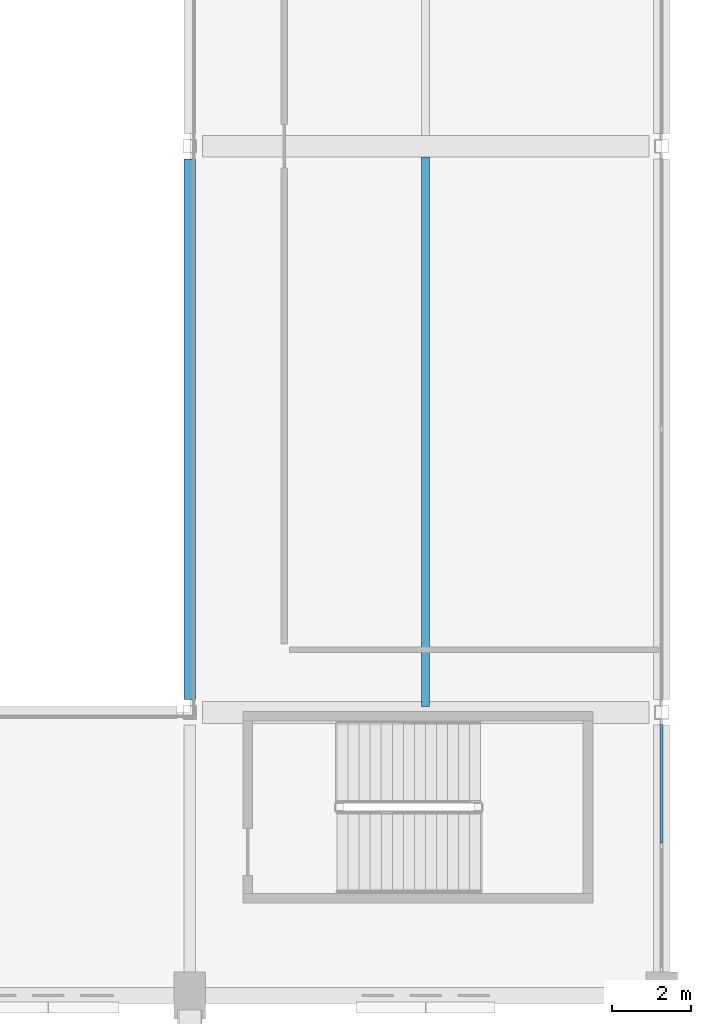
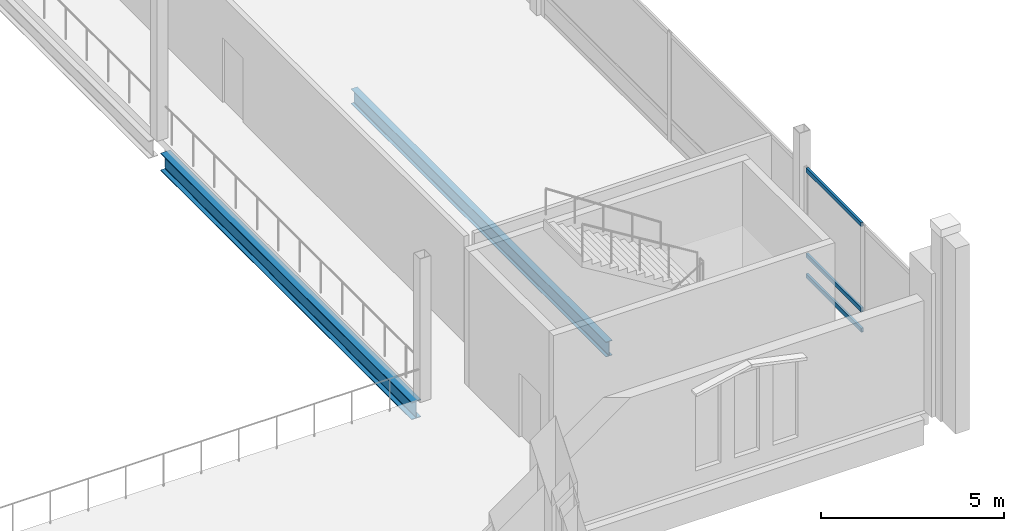
# One storey, part 80 of 193: 3 members, 2 beams, 1 element without a shape of its own.
"""IFC4 building model written with IfcOpenShell, lengths in metres."""

import ifcopenshell
import ifcopenshell.guid

model = None  # the IFC model being written
_history = None  # IfcOwnerHistory: only IFC2X3 demands one
_inside = {}  # id of a spatial element -> (the spatial element, [elements in it])
_under = {}  # id of a project, library or spatial element -> (it, [spatial elements below it])
_declared = {}  # id of a project -> (the project, [libraries it declares])
_typed = {}  # id of a type object -> (the type object, [elements of that type])
_made_of = {}  # id of a material, layer set ... -> (it, [elements and type objects made of it])


def new_model(schema):
    """Start an empty IFC model of exactly this schema.

    Asked for "IFC4X3", IfcOpenShell would pick the latest addendum, in which some entities
    have other attributes; the version numbers below select the first issue.
    IFC2X3 requires an IfcOwnerHistory on every rooted entity: one is made here for all.
    """
    global model, _history
    if schema == "IFC4X3":
        model = ifcopenshell.file(schema_version=(4, 3, 0, 0))
    else:
        model = ifcopenshell.file(schema=schema)
    _inside.clear()
    _under.clear()
    _declared.clear()
    _typed.clear()
    _made_of.clear()
    _history = None
    if model.schema == "IFC2X3":
        org = make("IfcOrganization", Name="unknown")
        user = make(
            "IfcPersonAndOrganization",
            ThePerson=make("IfcPerson", FamilyName="unknown"),
            TheOrganization=org,
        )
        app = make(
            "IfcApplication",
            ApplicationDeveloper=org,
            Version="unknown",
            ApplicationFullName="unknown",
            ApplicationIdentifier="unknown",
        )
        _history = make(
            "IfcOwnerHistory",
            OwningUser=user,
            OwningApplication=app,
            ChangeAction="ADDED",
            CreationDate=0,
        )
    return model


def make(cls, **values):
    """One entity of the class cls with the attributes given. An attribute that is None is left unset."""
    return model.create_entity(
        cls, **{name: value for name, value in values.items() if value is not None}
    )


def rooted(cls, **values):
    """An entity with a GlobalId (a new one), such as an element, a storey or a relation."""
    return make(cls, GlobalId=ifcopenshell.guid.new(), OwnerHistory=_history, **values)


def si_unit(unit_type, name, prefix=None):
    """IfcSIUnit, for example si_unit("LENGTHUNIT", "METRE", prefix="MILLI")."""
    return make("IfcSIUnit", UnitType=unit_type, Prefix=prefix, Name=name)


def assignment(units):
    """IfcUnitAssignment: the units of a project."""
    return None if units is None else make("IfcUnitAssignment", Units=units)


def point(xyz):
    """IfcCartesianPoint."""
    return None if xyz is None else make("IfcCartesianPoint", Coordinates=xyz)


def direction(xyz):
    """IfcDirection."""
    return None if xyz is None else make("IfcDirection", DirectionRatios=xyz)


def frame(location, z_axis=None, x_axis=None):
    """IfcAxis2Placement3D, a coordinate frame: its origin and axes. An axis left out is left unset."""
    return make(
        "IfcAxis2Placement3D",
        Location=point(location),
        Axis=direction(z_axis),
        RefDirection=direction(x_axis),
    )


def frame_2d(location, x_axis=None):
    """IfcAxis2Placement2D, a coordinate frame in the plane: its origin and x axis."""
    return make(
        "IfcAxis2Placement2D", Location=point(location), RefDirection=direction(x_axis)
    )


def origin():
    """The frame at (0, 0, 0) with its axes left unset."""
    return frame((0.0, 0.0, 0.0))


def origin_2d():
    """The frame at (0, 0) in the plane with its x axis left unset."""
    return frame_2d((0.0, 0.0))


def place(relative_to, where):
    """IfcLocalPlacement: puts the frame where relative to a parent placement (None: the world)."""
    return make(
        "IfcLocalPlacement", PlacementRelTo=relative_to, RelativePlacement=where
    )


def context(
    kind, dimensions, precision=None, world=None, true_north=None, identifier=None
):
    """IfcGeometricRepresentationContext, for example the 3D "Model" context."""
    return make(
        "IfcGeometricRepresentationContext",
        ContextIdentifier=identifier,
        ContextType=kind,
        CoordinateSpaceDimension=dimensions,
        Precision=precision,
        WorldCoordinateSystem=world,
        TrueNorth=true_north,
    )


def subcontext(parent, identifier, kind, view, scale=None):
    """IfcGeometricRepresentationSubContext, for example "Body" below "Model"."""
    return make(
        "IfcGeometricRepresentationSubContext",
        ContextIdentifier=identifier,
        ContextType=kind,
        ParentContext=parent,
        TargetScale=scale,
        TargetView=view,
    )


def project(units=None, contexts=None):
    """IfcProject with its units and contexts."""
    return rooted(
        "IfcProject",
        Name="project",
        RepresentationContexts=contexts,
        UnitsInContext=assignment(units),
    )


def spatial(cls, under=None, at=None, **own):
    """A site, building, storey or space (cls), placed at a placement, below another one or the project."""
    s = rooted(cls, ObjectPlacement=at, **own)
    if under is not None:
        _under.setdefault(under.id(), (under, []))[1].append(s)
    return s


def profile(cls, at=None, kind="AREA", **sizes):
    """A parametric profile (cls). Its sizes go by their IFC names, for example OverallWidth=200.0."""
    return make(cls, ProfileType=kind, Position=at, **sizes)


def hollow_rectangle(**sizes):
    """IfcRectangleHollowProfileDef."""
    return profile("IfcRectangleHollowProfileDef", **sizes)


def i_section(**sizes):
    """IfcIShapeProfileDef."""
    return profile("IfcIShapeProfileDef", **sizes)


def extrude(swept, where, along, depth):
    """IfcExtrudedAreaSolid: the profile swept, set in the frame where, extruded along a direction by depth."""
    return make(
        "IfcExtrudedAreaSolid",
        SweptArea=swept,
        Position=where,
        ExtrudedDirection=direction(along),
        Depth=depth,
    )


def shape(context_of_items, identifier, shape_type, items):
    """IfcShapeRepresentation: the items that make up one representation, for example the "Body"."""
    return make(
        "IfcShapeRepresentation",
        ContextOfItems=context_of_items,
        RepresentationIdentifier=identifier,
        RepresentationType=shape_type,
        Items=items,
    )


def material(Name=None, Category=None):
    """IfcMaterial."""
    return make("IfcMaterial", Name=Name, Category=Category)


def material_profile(
    of_material, cross_section, Name=None, Category=None, Priority=None
):
    """IfcMaterialProfile: a cross section and its material."""
    return make(
        "IfcMaterialProfile",
        Name=Name,
        Material=of_material,
        Profile=cross_section,
        Priority=Priority,
        Category=Category,
    )


def profile_set(profiles, Name=None, composite=None):
    """IfcMaterialProfileSet."""
    return make(
        "IfcMaterialProfileSet",
        Name=Name,
        MaterialProfiles=profiles,
        CompositeProfile=composite,
    )


def made_of(thing, what):
    """Note that an element or type object is made of a material, layer set ...; save() writes the relation."""
    if what is not None:
        _made_of.setdefault(what.id(), (what, []))[1].append(thing)
    return thing


def type_object(cls, material=None, **own):
    """A type object (cls), such as IfcWallType, which elements share."""
    return made_of(rooted(cls, **own), material)


def element(
    cls,
    number,
    at=None,
    inside=None,
    cuts=None,
    type_object=None,
    material=None,
    context=None,
    identifier="Body",
    shape_type=None,
    held_by="IfcProductDefinitionShape",
    body=None,
    shapes=None,
    **own,
):
    """One element of the class cls, such as IfcWall. Its Tag is "e" and its number.

    at: its placement. inside: the storey or other place that contains it. cuts: it is an
    opening in that element (IfcRelVoidsElement). A single representation is given by context,
    identifier, shape_type and body (its items); several are given by shapes. held_by: the class
    of the entity that holds the representations. save() writes the other relations.
    """
    e = rooted(cls, Tag="e%d" % number, ObjectPlacement=at, **own)
    if body is not None:
        shapes = [shape(context, identifier, shape_type, body)]
    if shapes is not None:
        e.Representation = make(held_by, Representations=shapes)
    if inside is not None:
        _inside.setdefault(inside.id(), (inside, []))[1].append(e)
    if cuts is not None:
        rooted(
            "IfcRelVoidsElement", RelatingBuildingElement=cuts, RelatedOpeningElement=e
        )
    if type_object is not None:
        _typed.setdefault(type_object.id(), (type_object, []))[1].append(e)
    return made_of(e, material)


def aggregate(whole, parts):
    """IfcRelAggregates: a whole, such as a stair, and the parts it consists of."""
    return rooted("IfcRelAggregates", RelatingObject=whole, RelatedObjects=parts)


def save(model, path):
    """Write the relations noted so far, then the file.

    IfcRelAggregates (storeys below a building ...), IfcRelContainedInSpatialStructure (elements
    in a storey), IfcRelDefinesByType, IfcRelAssociatesMaterial and IfcRelDeclares: one each for
    every whole, place, type object, material and project.
    """
    for whole, parts in _under.values():
        aggregate(whole, parts)
    for where, things in _inside.values():
        rooted(
            "IfcRelContainedInSpatialStructure",
            RelatedElements=things,
            RelatingStructure=where,
        )
    for kind, things in _typed.values():
        rooted("IfcRelDefinesByType", RelatedObjects=things, RelatingType=kind)
    for what, things in _made_of.values():
        rooted("IfcRelAssociatesMaterial", RelatedObjects=things, RelatingMaterial=what)
    for by, libraries in _declared.values():
        rooted("IfcRelDeclares", RelatingContext=by, RelatedDefinitions=libraries)
    model.write(path)


model = new_model("IFC4")

# Units and contexts
model_context = context("Model", 3, precision=1e-05, world=origin(), true_north=direction((0.0, 1.0)))
body_context = subcontext(model_context, "Body", "Model", "MODEL_VIEW")
ifc_project = project(units=[si_unit("LENGTHUNIT", "METRE"), si_unit("AREAUNIT", "SQUARE_METRE"), si_unit("VOLUMEUNIT", "CUBIC_METRE"), si_unit("PLANEANGLEUNIT", "RADIAN"), si_unit("MASSUNIT", "GRAM", prefix="KILO")], contexts=[model_context])

# Site, building, storey
site_placement = place(None, origin())
site = spatial("IfcSite", under=ifc_project, at=site_placement, CompositionType="ELEMENT")
building_placement = place(site_placement, origin())
building = spatial("IfcBuilding", under=site, at=building_placement, Name="Cendralis Lancet Convention Centre", CompositionType="ELEMENT")
storey_placement = place(building_placement, frame((0.0, 0.0, 10.199951171875)))
storey = spatial("IfcBuildingStorey", under=building, at=storey_placement, Name="L02", CompositionType="ELEMENT", Elevation=10.199951171875)

# Curtain wall, members
ifc_material_1 = material(Name="Anodised bronze architectural aluminium", Category="aluminium")
curtain_wall_type = type_object("IfcCurtainWallType", Name="ARC-CW-PL02", PredefinedType="USERDEFINED", material=ifc_material_1)
curtain_wall_placement = place(storey_placement, origin())
curtain_wall = element("IfcCurtainWall", 1, at=curtain_wall_placement, inside=storey, type_object=curtain_wall_type, Name="L02 Curtain Wall CW-PL2 #131", ObjectType="CURTAIN WALL", PredefinedType="USERDEFINED")
ifc_material_profile_1 = material_profile(ifc_material_1, hollow_rectangle(XDim=0.070068359375, YDim=0.139892578125, WallThickness=0.00390625, at=origin_2d()), Name="AL-TRAN 70x140x4.0")
ifc_profile_set_1 = profile_set([ifc_material_profile_1], Name="Anodised bronze architectural aluminium")
member_type = type_object("IfcMemberType", Name="ARC-CW-TR02", PredefinedType="USERDEFINED", material=ifc_profile_set_1)
member_1_placement = place(storey_placement, frame((208.800048828125, 50.10498046875, 0.070068359375), z_axis=(0.0, -1.0, 0.0), x_axis=(1.0, 0.0, 0.0)))
member_1 = element("IfcMember", 2, at=member_1_placement, type_object=member_type, Name="Transom CW2-CW-PL2-L02-131-T0BOT", ObjectType="TRANSOM", PredefinedType="USERDEFINED", context=body_context, shape_type="SweptSolid", body=[
    extrude(hollow_rectangle(XDim=0.070068359375, YDim=0.139892578125, WallThickness=0.00390625, at=origin_2d()), origin(), (0.0, 0.0, 1.0), 3.0224609375),
])
member_2_placement = place(storey_placement, frame((208.800048828125, 50.10498046875, 0.75), z_axis=(0.0, -1.0, 0.0), x_axis=(1.0, 0.0, 0.0)))
member_2 = element("IfcMember", 3, at=member_2_placement, type_object=member_type, Name="Transom CW2-CW-PL2-L02-131-T0MID", ObjectType="TRANSOM", PredefinedType="USERDEFINED", context=body_context, shape_type="SweptSolid", body=[
    extrude(hollow_rectangle(XDim=0.070068359375, YDim=0.139892578125, WallThickness=0.00390625, at=origin_2d()), origin(), (0.0, 0.0, 1.0), 3.0224609375),
])
member_3_placement = place(storey_placement, frame((208.800048828125, 50.10498046875, 3.60498046875), z_axis=(0.0, -1.0, 0.0), x_axis=(1.0, 0.0, 0.0)))
member_3 = element("IfcMember", 4, at=member_3_placement, type_object=member_type, Name="Transom CW2-CW-PL2-L02-131-T0TOP", ObjectType="TRANSOM", PredefinedType="USERDEFINED", context=body_context, shape_type="SweptSolid", body=[
    extrude(hollow_rectangle(XDim=0.070068359375, YDim=0.139892578125, WallThickness=0.00390625, at=origin_2d()), origin(), (0.0, 0.0, 1.0), 3.0224609375),
])
aggregate(curtain_wall, [member_1, member_2, member_3])

# Beams
ifc_material_2 = material(Name="Steel S355", Category="steel")
ifc_material_profile_2 = material_profile(ifc_material_2, i_section(OverallWidth=0.300048828125, OverallDepth=0.590087890625, WebThickness=0.012939453125, FlangeThickness=0.02490234375, FilletRadius=0.027099609375, at=origin_2d()), Name="HEA 600")
ifc_profile_set_2 = profile_set([ifc_material_profile_2], Name="Steel S355")
beam_type_1 = type_object("IfcBeamType", Name="STR-BM-SG10", PredefinedType="BEAM", material=ifc_profile_set_2)
beam_1_placement = place(storey_placement, frame((196.800048828125, 50.72509765625, -0.594970703125), z_axis=(0.0, 1.0, 0.0), x_axis=(-1.0, 0.0, 0.0)))
element("IfcBeam", 5, at=beam_1_placement, inside=storey, type_object=beam_type_1, Name="L02 Beam SG10 #1488", PredefinedType="BEAM", context=body_context, shape_type="SweptSolid", body=[
    extrude(i_section(OverallWidth=0.300048828125, OverallDepth=0.590087890625, WebThickness=0.012939453125, FlangeThickness=0.02490234375, FilletRadius=0.027099609375, at=origin_2d()), origin(), (0.0, 0.0, 1.0), 13.75),
])
ifc_material_profile_3 = material_profile(ifc_material_2, i_section(OverallWidth=0.199951171875, OverallDepth=0.5, WebThickness=0.01025390625, FlangeThickness=0.01611328125, FilletRadius=0.02099609375, at=origin_2d()), Name="IPE 500")
ifc_profile_set_3 = profile_set([ifc_material_profile_3], Name="Steel S355")
beam_type_2 = type_object("IfcBeamType", Name="STR-JS-BJ06", PredefinedType="JOIST", material=ifc_profile_set_3)
beam_2_placement = place(storey_placement, frame((202.800048828125, 50.550048828125, -0.550048828125), z_axis=(0.0, 1.0, 0.0), x_axis=(-1.0, 0.0, 0.0)))
element("IfcBeam", 6, at=beam_2_placement, inside=storey, type_object=beam_type_2, Name="L02 Beam BJ06 #1501", PredefinedType="JOIST", context=body_context, shape_type="SweptSolid", body=[
    extrude(i_section(OverallWidth=0.199951171875, OverallDepth=0.5, WebThickness=0.01025390625, FlangeThickness=0.01611328125, FilletRadius=0.02099609375, at=origin_2d()), origin(), (0.0, 0.0, 1.0), 13.974853515625),
])

save(model, "model.ifc")
